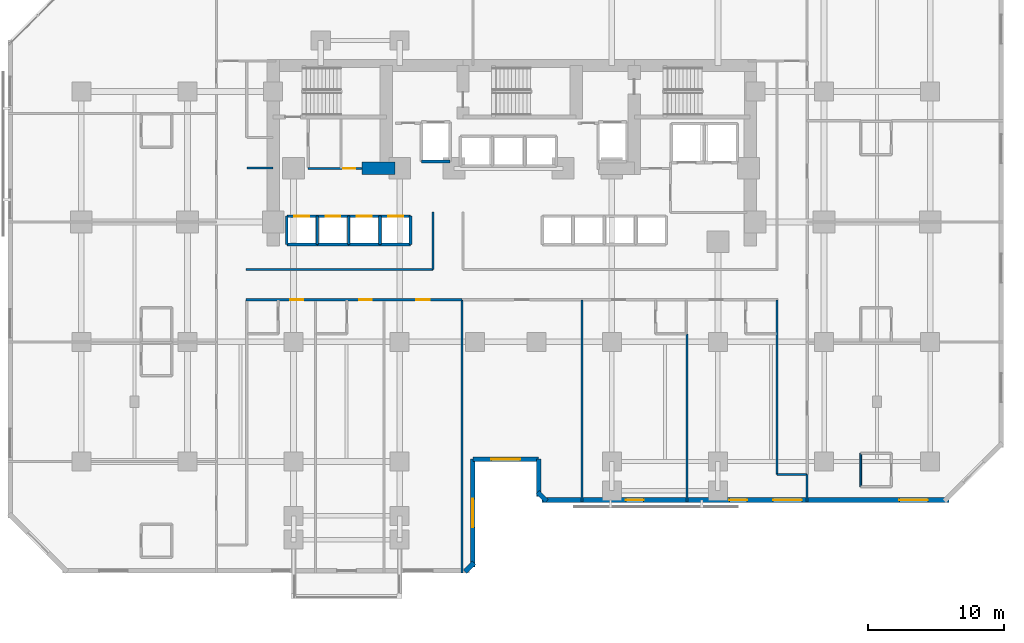
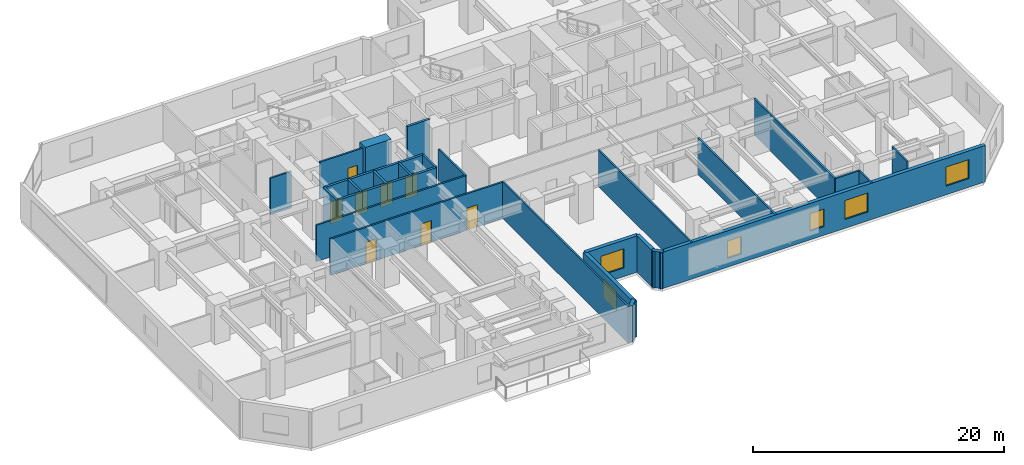
# One storey, part 6 of 12: 33 walls, 8 doors, 6 windows, 14 openings.
"""IFC4 building model written with IfcOpenShell, lengths in metres."""

import ifcopenshell
import ifcopenshell.guid

model = None  # the IFC model being written
_history = None  # IfcOwnerHistory: only IFC2X3 demands one
_inside = {}  # id of a spatial element -> (the spatial element, [elements in it])
_under = {}  # id of a project, library or spatial element -> (it, [spatial elements below it])
_declared = {}  # id of a project -> (the project, [libraries it declares])
_typed = {}  # id of a type object -> (the type object, [elements of that type])
_made_of = {}  # id of a material, layer set ... -> (it, [elements and type objects made of it])


def new_model(schema):
    """Start an empty IFC model of exactly this schema.

    Asked for "IFC4X3", IfcOpenShell would pick the latest addendum, in which some entities
    have other attributes; the version numbers below select the first issue.
    IFC2X3 requires an IfcOwnerHistory on every rooted entity: one is made here for all.
    """
    global model, _history
    if schema == "IFC4X3":
        model = ifcopenshell.file(schema_version=(4, 3, 0, 0))
    else:
        model = ifcopenshell.file(schema=schema)
    _inside.clear()
    _under.clear()
    _declared.clear()
    _typed.clear()
    _made_of.clear()
    _history = None
    if model.schema == "IFC2X3":
        org = make("IfcOrganization", Name="unknown")
        user = make(
            "IfcPersonAndOrganization",
            ThePerson=make("IfcPerson", FamilyName="unknown"),
            TheOrganization=org,
        )
        app = make(
            "IfcApplication",
            ApplicationDeveloper=org,
            Version="unknown",
            ApplicationFullName="unknown",
            ApplicationIdentifier="unknown",
        )
        _history = make(
            "IfcOwnerHistory",
            OwningUser=user,
            OwningApplication=app,
            ChangeAction="ADDED",
            CreationDate=0,
        )
    return model


def make(cls, **values):
    """One entity of the class cls with the attributes given. An attribute that is None is left unset."""
    return model.create_entity(
        cls, **{name: value for name, value in values.items() if value is not None}
    )


def rooted(cls, **values):
    """An entity with a GlobalId (a new one), such as an element, a storey or a relation."""
    return make(cls, GlobalId=ifcopenshell.guid.new(), OwnerHistory=_history, **values)


def si_unit(unit_type, name, prefix=None):
    """IfcSIUnit, for example si_unit("LENGTHUNIT", "METRE", prefix="MILLI")."""
    return make("IfcSIUnit", UnitType=unit_type, Prefix=prefix, Name=name)


def assignment(units):
    """IfcUnitAssignment: the units of a project."""
    return None if units is None else make("IfcUnitAssignment", Units=units)


def point(xyz):
    """IfcCartesianPoint."""
    return None if xyz is None else make("IfcCartesianPoint", Coordinates=xyz)


def direction(xyz):
    """IfcDirection."""
    return None if xyz is None else make("IfcDirection", DirectionRatios=xyz)


def frame(location, z_axis=None, x_axis=None):
    """IfcAxis2Placement3D, a coordinate frame: its origin and axes. An axis left out is left unset."""
    return make(
        "IfcAxis2Placement3D",
        Location=point(location),
        Axis=direction(z_axis),
        RefDirection=direction(x_axis),
    )


def frame_2d(location, x_axis=None):
    """IfcAxis2Placement2D, a coordinate frame in the plane: its origin and x axis."""
    return make(
        "IfcAxis2Placement2D", Location=point(location), RefDirection=direction(x_axis)
    )


def origin():
    """The frame at (0, 0, 0) with its axes left unset."""
    return frame((0.0, 0.0, 0.0))


def place(relative_to, where):
    """IfcLocalPlacement: puts the frame where relative to a parent placement (None: the world)."""
    return make(
        "IfcLocalPlacement", PlacementRelTo=relative_to, RelativePlacement=where
    )


def context(
    kind, dimensions, precision=None, world=None, true_north=None, identifier=None
):
    """IfcGeometricRepresentationContext, for example the 3D "Model" context."""
    return make(
        "IfcGeometricRepresentationContext",
        ContextIdentifier=identifier,
        ContextType=kind,
        CoordinateSpaceDimension=dimensions,
        Precision=precision,
        WorldCoordinateSystem=world,
        TrueNorth=true_north,
    )


def subcontext(parent, identifier, kind, view, scale=None):
    """IfcGeometricRepresentationSubContext, for example "Body" below "Model"."""
    return make(
        "IfcGeometricRepresentationSubContext",
        ContextIdentifier=identifier,
        ContextType=kind,
        ParentContext=parent,
        TargetScale=scale,
        TargetView=view,
    )


def project(units=None, contexts=None):
    """IfcProject with its units and contexts."""
    return rooted(
        "IfcProject",
        Name="project",
        RepresentationContexts=contexts,
        UnitsInContext=assignment(units),
    )


def spatial(cls, under=None, at=None, **own):
    """A site, building, storey or space (cls), placed at a placement, below another one or the project."""
    s = rooted(cls, ObjectPlacement=at, **own)
    if under is not None:
        _under.setdefault(under.id(), (under, []))[1].append(s)
    return s


def profile(cls, at=None, kind="AREA", **sizes):
    """A parametric profile (cls). Its sizes go by their IFC names, for example OverallWidth=200.0."""
    return make(cls, ProfileType=kind, Position=at, **sizes)


def rectangle(**sizes):
    """IfcRectangleProfileDef."""
    return profile("IfcRectangleProfileDef", **sizes)


def extrude(swept, where, along, depth):
    """IfcExtrudedAreaSolid: the profile swept, set in the frame where, extruded along a direction by depth."""
    return make(
        "IfcExtrudedAreaSolid",
        SweptArea=swept,
        Position=where,
        ExtrudedDirection=direction(along),
        Depth=depth,
    )


def shape(context_of_items, identifier, shape_type, items):
    """IfcShapeRepresentation: the items that make up one representation, for example the "Body"."""
    return make(
        "IfcShapeRepresentation",
        ContextOfItems=context_of_items,
        RepresentationIdentifier=identifier,
        RepresentationType=shape_type,
        Items=items,
    )


def material(Name=None, Category=None):
    """IfcMaterial."""
    return make("IfcMaterial", Name=Name, Category=Category)


def layer(
    of_material, thickness, ventilated=None, Name=None, Category=None, Priority=None
):
    """IfcMaterialLayer: one layer of a wall or slab, of a material (None: an air gap)."""
    return make(
        "IfcMaterialLayer",
        Material=of_material,
        LayerThickness=thickness,
        IsVentilated=ventilated,
        Name=Name,
        Category=Category,
        Priority=Priority,
    )


def layer_set(layers, Name=None):
    """IfcMaterialLayerSet."""
    return make("IfcMaterialLayerSet", MaterialLayers=layers, LayerSetName=Name)


def made_of(thing, what):
    """Note that an element or type object is made of a material, layer set ...; save() writes the relation."""
    if what is not None:
        _made_of.setdefault(what.id(), (what, []))[1].append(thing)
    return thing


def type_object(cls, material=None, **own):
    """A type object (cls), such as IfcWallType, which elements share."""
    return made_of(rooted(cls, **own), material)


def element(
    cls,
    number,
    at=None,
    inside=None,
    cuts=None,
    type_object=None,
    material=None,
    context=None,
    identifier="Body",
    shape_type=None,
    held_by="IfcProductDefinitionShape",
    body=None,
    shapes=None,
    **own,
):
    """One element of the class cls, such as IfcWall. Its Tag is "e" and its number.

    at: its placement. inside: the storey or other place that contains it. cuts: it is an
    opening in that element (IfcRelVoidsElement). A single representation is given by context,
    identifier, shape_type and body (its items); several are given by shapes. held_by: the class
    of the entity that holds the representations. save() writes the other relations.
    """
    e = rooted(cls, Tag="e%d" % number, ObjectPlacement=at, **own)
    if body is not None:
        shapes = [shape(context, identifier, shape_type, body)]
    if shapes is not None:
        e.Representation = make(held_by, Representations=shapes)
    if inside is not None:
        _inside.setdefault(inside.id(), (inside, []))[1].append(e)
    if cuts is not None:
        rooted(
            "IfcRelVoidsElement", RelatingBuildingElement=cuts, RelatedOpeningElement=e
        )
    if type_object is not None:
        _typed.setdefault(type_object.id(), (type_object, []))[1].append(e)
    return made_of(e, material)


def fill(opening, filler):
    """IfcRelFillsElement: the door or window that sits in an opening."""
    return rooted(
        "IfcRelFillsElement",
        RelatingOpeningElement=opening,
        RelatedBuildingElement=filler,
    )


def aggregate(whole, parts):
    """IfcRelAggregates: a whole, such as a stair, and the parts it consists of."""
    return rooted("IfcRelAggregates", RelatingObject=whole, RelatedObjects=parts)


def save(model, path):
    """Write the relations noted so far, then the file.

    IfcRelAggregates (storeys below a building ...), IfcRelContainedInSpatialStructure (elements
    in a storey), IfcRelDefinesByType, IfcRelAssociatesMaterial and IfcRelDeclares: one each for
    every whole, place, type object, material and project.
    """
    for whole, parts in _under.values():
        aggregate(whole, parts)
    for where, things in _inside.values():
        rooted(
            "IfcRelContainedInSpatialStructure",
            RelatedElements=things,
            RelatingStructure=where,
        )
    for kind, things in _typed.values():
        rooted("IfcRelDefinesByType", RelatedObjects=things, RelatingType=kind)
    for what, things in _made_of.values():
        rooted("IfcRelAssociatesMaterial", RelatedObjects=things, RelatingMaterial=what)
    for by, libraries in _declared.values():
        rooted("IfcRelDeclares", RelatingContext=by, RelatedDefinitions=libraries)
    model.write(path)


model = new_model("IFC4")

# Units and contexts
model_context = context("Model", 3, precision=1e-05, world=origin(), true_north=direction((0.0, 1.0)))
body_context = subcontext(model_context, "Body", "Model", "MODEL_VIEW")
ifc_project = project(units=[si_unit("LENGTHUNIT", "METRE"), si_unit("AREAUNIT", "SQUARE_METRE"), si_unit("VOLUMEUNIT", "CUBIC_METRE"), si_unit("PLANEANGLEUNIT", "RADIAN"), si_unit("MASSUNIT", "GRAM", prefix="KILO")], contexts=[model_context])

# Site, building, storey
site_placement = place(None, origin())
site = spatial("IfcSite", under=ifc_project, at=site_placement, CompositionType="ELEMENT")
building_placement = place(site_placement, origin())
building = spatial("IfcBuilding", under=site, at=building_placement, Name="Kestravale Grand Hotel", CompositionType="ELEMENT")
storey_placement = place(building_placement, frame((0.0, 0.0, 48.800048828125)))
storey = spatial("IfcBuildingStorey", under=building, at=storey_placement, Name="L11", CompositionType="ELEMENT", Elevation=48.800048828125)

# Walls
ifc_material_1 = material(Name="Concrete f'c 70 MPa", Category="concrete")
ifc_layer_1 = layer(ifc_material_1, 0.89990234375)
ifc_layer_set_1 = layer_set([ifc_layer_1], Name="EW-CORE-900")
wall_type_1 = type_object("IfcWallType", Name="EW-CORE-900", PredefinedType="SHEAR", material=ifc_layer_set_1)
wall_1_placement = place(storey_placement, frame((28.449951171875, 32.75, 0.0), z_axis=(0.0, 0.0, 1.0), x_axis=(1.0, 0.0, 0.0)))
element("IfcWall", 1, at=wall_1_placement, inside=storey, type_object=wall_type_1, Name="L11 core shear wall S1", PredefinedType="SHEAR", context=body_context, shape_type="SweptSolid", body=[
    extrude(rectangle(XDim=2.400146484375, YDim=0.89990234375, at=frame_2d((1.2001953125, 0.0))), origin(), (0.0, 0.0, 1.0), 3.800048828125),
])
ifc_material_2 = material(Name="Precast concrete f'c 45 MPa", Category="concrete")
ifc_layer_2 = layer(ifc_material_2, 0.340087890625)
ifc_layer_set_2 = layer_set([ifc_layer_2], Name="EW-PREC-340")
wall_type_2 = type_object("IfcWallType", Name="EW-PREC-340", PredefinedType="SOLIDWALL", material=ifc_layer_set_2)
wall_2_placement = place(storey_placement, frame((36.00146484375, 3.091796875, 0.0), z_axis=(0.0, 0.0, 1.0), x_axis=(0.707106781187, 0.707106781187, 0.0)))
element("IfcWall", 2, at=wall_2_placement, inside=storey, type_object=wall_type_2, Name="L11 fluted precast facade wall 2", PredefinedType="SOLIDWALL", context=body_context, shape_type="SweptSolid", body=[
    extrude(rectangle(XDim=0.9287109375, YDim=0.340087890625, at=frame_2d((0.46435546875, 0.0))), origin(), (0.0, 0.0, 1.0), 3.5400390625),
])

# Wall, opening, window
wall_3_placement = place(storey_placement, frame((36.580078125, 3.429931640625, 0.0), z_axis=(0.0, 0.0, 1.0), x_axis=(0.0, 1.0, 0.0)))
wall_3 = element("IfcWall", 3, at=wall_3_placement, inside=storey, type_object=wall_type_2, Name="L11 fluted precast facade wall 3", PredefinedType="SOLIDWALL", context=body_context, shape_type="SweptSolid", body=[
    extrude(rectangle(XDim=7.940185546875, YDim=0.340087890625, at=frame_2d((3.97021484375, 0.0))), origin(), (0.0, 0.0, 1.0), 3.5400390625),
])
opening_1_placement = place(wall_3_placement, frame((2.919921875, 0.0, 0.85009765625)))
opening_1 = element("IfcOpeningElement", 4, at=opening_1_placement, cuts=wall_3, Name="Opening W-GUEST-2100", PredefinedType="OPENING", context=body_context, shape_type="SweptSolid", body=[
    extrude(rectangle(XDim=2.10009765625, YDim=1.85009765625, at=frame_2d((1.050048828125, 0.925048828125))), frame((0.0, 0.179931640625, 0.0), z_axis=(0.0, -1.0, 0.0), x_axis=(1.0, 0.0, 0.0)), (0.0, 0.0, 1.0), 0.360107421875),
])
ifc_material_3 = material(Name="Insulated low-E double glazing in aluminium frame", Category="aluminium")
window_type_1 = type_object("IfcWindowType", Name="W-GUEST-2100", PartitioningType="DOUBLE_PANEL_VERTICAL", PredefinedType="WINDOW", material=ifc_material_3)
window_1_placement = place(opening_1_placement, origin())
window_1 = element("IfcWindow", 5, at=window_1_placement, inside=storey, type_object=window_type_1, Name="L11 exterior window 3.1", OverallHeight=1.85009765625, OverallWidth=2.10009765625, PartitioningType="SINGLE_PANEL", PredefinedType="WINDOW", context=body_context, shape_type="SweptSolid", body=[
    extrude(rectangle(XDim=2.10009765625, YDim=1.85009765625, at=frame_2d((1.050048828125, 0.925048828125))), frame((0.0, 0.030029296875, 0.0), z_axis=(0.0, -1.0, 0.0), x_axis=(1.0, 0.0, 0.0)), (0.0, 0.0, 1.0), 0.06005859375),
])
fill(opening_1, window_1)

wall_4_placement = place(storey_placement, frame((36.580078125, 11.3701171875, 0.0), z_axis=(0.0, 0.0, 1.0), x_axis=(1.0, 0.0, 0.0)))
wall_4 = element("IfcWall", 6, at=wall_4_placement, inside=storey, type_object=wall_type_2, Name="L11 fluted precast facade wall 4", PredefinedType="SOLIDWALL", context=body_context, shape_type="SweptSolid", body=[
    extrude(rectangle(XDim=4.83984375, YDim=0.340087890625, at=frame_2d((2.419921875, 0.0))), origin(), (0.0, 0.0, 1.0), 3.5400390625),
])
opening_2_placement = place(wall_4_placement, frame((1.3701171875, 0.0, 0.85009765625)))
opening_2 = element("IfcOpeningElement", 7, at=opening_2_placement, cuts=wall_4, Name="Opening W-GUEST-2100", PredefinedType="OPENING", context=body_context, shape_type="SweptSolid", body=[
    extrude(rectangle(XDim=2.10009765625, YDim=1.85009765625, at=frame_2d((1.050048828125, 0.925048828125))), frame((0.0, 0.179931640625, 0.0), z_axis=(0.0, -1.0, 0.0), x_axis=(1.0, 0.0, 0.0)), (0.0, 0.0, 1.0), 0.360107421875),
])
window_2_placement = place(opening_2_placement, origin())
window_2 = element("IfcWindow", 8, at=window_2_placement, inside=storey, type_object=window_type_1, Name="L11 exterior window 4.1", OverallHeight=1.85009765625, OverallWidth=2.10009765625, PartitioningType="SINGLE_PANEL", PredefinedType="WINDOW", context=body_context, shape_type="SweptSolid", body=[
    extrude(rectangle(XDim=2.10009765625, YDim=1.85009765625, at=frame_2d((1.050048828125, 0.925048828125))), frame((0.0, 0.030029296875, 0.0), z_axis=(0.0, -1.0, 0.0), x_axis=(1.0, 0.0, 0.0)), (0.0, 0.0, 1.0), 0.06005859375),
])
fill(opening_2, window_2)

# Walls
wall_5_placement = place(storey_placement, frame((41.419921875, 11.3701171875, 0.0), z_axis=(0.0, 0.0, 1.0), x_axis=(0.0, -1.0, 0.0)))
element("IfcWall", 9, at=wall_5_placement, inside=storey, type_object=wall_type_2, Name="L11 fluted precast facade wall 5", PredefinedType="SOLIDWALL", context=body_context, shape_type="SweptSolid", body=[
    extrude(rectangle(XDim=2.740234375, YDim=0.340087890625, at=frame_2d((1.3701171875, 0.0))), origin(), (0.0, 0.0, 1.0), 3.5400390625),
])
wall_6_placement = place(storey_placement, frame((41.341796875, 8.948486328125, 0.0), z_axis=(0.0, 0.0, 1.0), x_axis=(0.707238225886, -0.706975312048, 0.0)))
element("IfcWall", 10, at=wall_6_placement, inside=storey, type_object=wall_type_2, Name="L11 fluted precast facade wall 6", PredefinedType="SOLIDWALL", context=body_context, shape_type="SweptSolid", body=[
    extrude(rectangle(XDim=0.9287109375, YDim=0.340087890625, at=frame_2d((0.46435546875, 0.0))), origin(), (0.0, 0.0, 1.0), 3.5400390625),
])

# Wall, openings, windows
wall_7_placement = place(storey_placement, frame((41.679931640625, 8.3701171875, 0.0), z_axis=(0.0, 0.0, 1.0), x_axis=(1.0, 0.0, 0.0)))
wall_7 = element("IfcWall", 11, at=wall_7_placement, inside=storey, type_object=wall_type_2, Name="L11 fluted precast facade wall 7", PredefinedType="SOLIDWALL", context=body_context, shape_type="SweptSolid", body=[
    extrude(rectangle(XDim=29.89013671875, YDim=0.340087890625, at=frame_2d((14.945068359375, 0.0))), origin(), (0.0, 0.0, 1.0), 3.5400390625),
])
opening_3_placement = place(wall_7_placement, frame((16.981201171875, 0.0, 0.85009765625)))
opening_3 = element("IfcOpeningElement", 12, at=opening_3_placement, cuts=wall_7, Name="Opening W-GUEST-2100", PredefinedType="OPENING", context=body_context, shape_type="SweptSolid", body=[
    extrude(rectangle(XDim=2.10009765625, YDim=1.85009765625, at=frame_2d((1.050048828125, 0.925048828125))), frame((0.0, 0.179931640625, 0.0), z_axis=(0.0, -1.0, 0.0), x_axis=(1.0, 0.0, 0.0)), (0.0, 0.0, 1.0), 0.360107421875),
])
opening_4_placement = place(wall_7_placement, frame((26.253662109375, 0.0, 0.85009765625)))
opening_4 = element("IfcOpeningElement", 13, at=opening_4_placement, cuts=wall_7, Name="Opening W-GUEST-2100", PredefinedType="OPENING", context=body_context, shape_type="SweptSolid", body=[
    extrude(rectangle(XDim=2.10009765625, YDim=1.85009765625, at=frame_2d((1.050048828125, 0.925048828125))), frame((0.0, 0.179931640625, 0.0), z_axis=(0.0, -1.0, 0.0), x_axis=(1.0, 0.0, 0.0)), (0.0, 0.0, 1.0), 0.360107421875),
])
opening_5_placement = place(wall_7_placement, frame((6.14990234375, 0.0, 0.85009765625)))
opening_5 = element("IfcOpeningElement", 14, at=opening_5_placement, cuts=wall_7, Name="Opening W-GUEST-1300", PredefinedType="OPENING", context=body_context, shape_type="SweptSolid", body=[
    extrude(rectangle(XDim=1.300048828125, YDim=1.699951171875, at=frame_2d((0.64990234375, 0.85009765625))), frame((0.0, 0.179931640625, 0.0), z_axis=(0.0, -1.0, 0.0), x_axis=(1.0, 0.0, 0.0)), (0.0, 0.0, 1.0), 0.360107421875),
])
opening_6_placement = place(wall_7_placement, frame((13.76318359375, 0.0, 0.85009765625)))
opening_6 = element("IfcOpeningElement", 15, at=opening_6_placement, cuts=wall_7, Name="Opening W-GUEST-1300", PredefinedType="OPENING", context=body_context, shape_type="SweptSolid", body=[
    extrude(rectangle(XDim=1.300048828125, YDim=1.699951171875, at=frame_2d((0.64990234375, 0.85009765625))), frame((0.0, 0.179931640625, 0.0), z_axis=(0.0, -1.0, 0.0), x_axis=(1.0, 0.0, 0.0)), (0.0, 0.0, 1.0), 0.360107421875),
])
ifc_material_4 = material(Name="Insulated low-E double glazing in aluminium frame", Category="aluminium")
window_type_2 = type_object("IfcWindowType", Name="W-GUEST-1300", PartitioningType="SINGLE_PANEL", PredefinedType="WINDOW", material=ifc_material_4)
window_3_placement = place(opening_5_placement, origin())
window_3 = element("IfcWindow", 16, at=window_3_placement, inside=storey, type_object=window_type_2, Name="L11 guestroom envelope window 2", OverallHeight=1.699951171875, OverallWidth=1.300048828125, PartitioningType="SINGLE_PANEL", PredefinedType="WINDOW", context=body_context, shape_type="SweptSolid", body=[
    extrude(rectangle(XDim=1.300048828125, YDim=1.699951171875, at=frame_2d((0.64990234375, 0.85009765625))), frame((0.0, 0.030029296875, 0.0), z_axis=(0.0, -1.0, 0.0), x_axis=(1.0, 0.0, 0.0)), (0.0, 0.0, 1.0), 0.06005859375),
])
fill(opening_5, window_3)
window_4_placement = place(opening_6_placement, origin())
window_4 = element("IfcWindow", 17, at=window_4_placement, inside=storey, type_object=window_type_2, Name="L11 guestroom envelope window 3", OverallHeight=1.699951171875, OverallWidth=1.300048828125, PartitioningType="SINGLE_PANEL", PredefinedType="WINDOW", context=body_context, shape_type="SweptSolid", body=[
    extrude(rectangle(XDim=1.300048828125, YDim=1.699951171875, at=frame_2d((0.64990234375, 0.85009765625))), frame((0.0, 0.030029296875, 0.0), z_axis=(0.0, -1.0, 0.0), x_axis=(1.0, 0.0, 0.0)), (0.0, 0.0, 1.0), 0.06005859375),
])
fill(opening_6, window_4)
window_5_placement = place(opening_3_placement, origin())
window_5 = element("IfcWindow", 18, at=window_5_placement, inside=storey, type_object=window_type_1, Name="L11 exterior window 7.1", OverallHeight=1.85009765625, OverallWidth=2.10009765625, PartitioningType="SINGLE_PANEL", PredefinedType="WINDOW", context=body_context, shape_type="SweptSolid", body=[
    extrude(rectangle(XDim=2.10009765625, YDim=1.85009765625, at=frame_2d((1.050048828125, 0.925048828125))), frame((0.0, 0.030029296875, 0.0), z_axis=(0.0, -1.0, 0.0), x_axis=(1.0, 0.0, 0.0)), (0.0, 0.0, 1.0), 0.06005859375),
])
fill(opening_3, window_5)
window_6_placement = place(opening_4_placement, origin())
window_6 = element("IfcWindow", 19, at=window_6_placement, inside=storey, type_object=window_type_1, Name="L11 exterior window 7.2", OverallHeight=1.85009765625, OverallWidth=2.10009765625, PartitioningType="SINGLE_PANEL", PredefinedType="WINDOW", context=body_context, shape_type="SweptSolid", body=[
    extrude(rectangle(XDim=2.10009765625, YDim=1.85009765625, at=frame_2d((1.050048828125, 0.925048828125))), frame((0.0, 0.030029296875, 0.0), z_axis=(0.0, -1.0, 0.0), x_axis=(1.0, 0.0, 0.0)), (0.0, 0.0, 1.0), 0.06005859375),
])
fill(opening_4, window_6)

# Wall, opening, door
ifc_material_5 = material(Name="Acoustic fire-rated gypsum board partition", Category="other")
ifc_layer_3 = layer(ifc_material_5, 0.159912109375)
ifc_layer_set_3 = layer_set([ifc_layer_3], Name="IW-CORR-160")
wall_type_3 = type_object("IfcWallType", Name="IW-CORR-160", PredefinedType="PARTITIONING", material=ifc_layer_set_3)
wall_8_placement = place(storey_placement, frame((24.47998046875, 32.75, 0.0), z_axis=(0.0, 0.0, 1.0), x_axis=(1.0, 0.0, 0.0)))
wall_8 = element("IfcWall", 20, at=wall_8_placement, inside=storey, type_object=wall_type_3, Name="W-L11-CWS", PredefinedType="PARTITIONING", context=body_context, shape_type="SweptSolid", body=[
    extrude(rectangle(XDim=3.969970703125, YDim=0.159912109375, at=frame_2d((1.98486328125, 0.0))), origin(), (0.0, 0.0, 1.0), 3.5400390625),
])
opening_7_placement = place(wall_8_placement, frame((2.574951171875, 0.0, 0.0)))
opening_7 = element("IfcOpeningElement", 21, at=opening_7_placement, cuts=wall_8, Name="Opening D-BATH-880", PredefinedType="OPENING", context=body_context, shape_type="SweptSolid", body=[
    extrude(rectangle(XDim=0.8798828125, YDim=2.050048828125, at=frame_2d((0.43994140625, 1.02490234375))), frame((0.0, 0.08984375, 0.0), z_axis=(0.0, -1.0, 0.0), x_axis=(1.0, 0.0, 0.0)), (0.0, 0.0, 1.0), 0.179931640625),
])
ifc_material_6 = material(Name="Moisture-sealed walnut en-suite bathroom door", Category="wood")
door_type_1 = type_object("IfcDoorType", Name="D-BATH-880", OperationType="NOTDEFINED", PredefinedType="DOOR", material=ifc_material_6)
door_1_placement = place(opening_7_placement, origin())
door_1 = element("IfcDoor", 22, at=door_1_placement, inside=storey, type_object=door_type_1, Name="D-L11-SWC", OperationType="SINGLE_SWING_RIGHT", OverallHeight=2.050048828125, OverallWidth=0.8798828125, PredefinedType="DOOR", context=body_context, shape_type="SweptSolid", body=[
    extrude(rectangle(XDim=0.8798828125, YDim=2.050048828125, at=frame_2d((0.43994140625, 1.02490234375))), frame((0.0, 0.02490234375, 0.0), z_axis=(0.0, -1.0, 0.0), x_axis=(1.0, 0.0, 0.0)), (0.0, 0.0, 1.0), 0.050048828125),
])
fill(opening_7, door_1)

# Walls
wall_9_placement = place(storey_placement, frame((19.89990234375, 25.31005859375, 0.0), z_axis=(0.0, 0.0, 1.0), x_axis=(1.0, 0.0, 0.0)))
element("IfcWall", 23, at=wall_9_placement, inside=storey, type_object=wall_type_3, Name="W-L11-CW-N", PredefinedType="PARTITIONING", context=body_context, shape_type="SweptSolid", body=[
    extrude(rectangle(XDim=13.75, YDim=0.159912109375, at=frame_2d((6.875, 0.0))), origin(), (0.0, 0.0, 1.0), 3.5400390625),
])
wall_10_placement = place(storey_placement, frame((33.64990234375, 25.31005859375, 0.0), z_axis=(0.0, 0.0, 1.0), x_axis=(0.0, 1.0, 0.0)))
element("IfcWall", 24, at=wall_10_placement, inside=storey, type_object=wall_type_3, Name="W-L11-TRUNK-W", PredefinedType="PARTITIONING", context=body_context, shape_type="SweptSolid", body=[
    extrude(rectangle(XDim=4.239990234375, YDim=0.159912109375, at=frame_2d((2.1201171875, 0.0))), origin(), (0.0, 0.0, 1.0), 3.5400390625),
])

# Wall, openings, doors
wall_11_placement = place(storey_placement, frame((19.89990234375, 23.090087890625, 0.0), z_axis=(0.0, 0.0, 1.0), x_axis=(1.0, 0.0, 0.0)))
wall_11 = element("IfcWall", 25, at=wall_11_placement, inside=storey, type_object=wall_type_3, Name="W-L11-CW-S", PredefinedType="PARTITIONING", context=body_context, shape_type="SweptSolid", body=[
    extrude(rectangle(XDim=15.900146484375, YDim=0.159912109375, at=frame_2d((7.9501953125, 0.0))), origin(), (0.0, 0.0, 1.0), 3.5400390625),
])
opening_8_placement = place(wall_11_placement, frame((3.264892578125, 0.0, 0.0)))
opening_8 = element("IfcOpeningElement", 26, at=opening_8_placement, cuts=wall_11, Name="Opening D-GUEST-950", PredefinedType="OPENING", context=body_context, shape_type="SweptSolid", body=[
    extrude(rectangle(XDim=0.949951171875, YDim=2.10009765625, at=frame_2d((0.47509765625, 1.050048828125))), frame((0.0, 0.08984375, 0.0), z_axis=(0.0, -1.0, 0.0), x_axis=(1.0, 0.0, 0.0)), (0.0, 0.0, 1.0), 0.179931640625),
])
opening_9_placement = place(wall_11_placement, frame((8.31494140625, 0.0, 0.0)))
opening_9 = element("IfcOpeningElement", 27, at=opening_9_placement, cuts=wall_11, Name="Opening D-GUEST-950", PredefinedType="OPENING", context=body_context, shape_type="SweptSolid", body=[
    extrude(rectangle(XDim=0.949951171875, YDim=2.10009765625, at=frame_2d((0.47509765625, 1.050048828125))), frame((0.0, 0.08984375, 0.0), z_axis=(0.0, -1.0, 0.0), x_axis=(1.0, 0.0, 0.0)), (0.0, 0.0, 1.0), 0.179931640625),
])
opening_10_placement = place(wall_11_placement, frame((12.530029296875, 0.0, 0.0)))
opening_10 = element("IfcOpeningElement", 28, at=opening_10_placement, cuts=wall_11, Name="Opening D-GUEST-1000", PredefinedType="OPENING", context=body_context, shape_type="SweptSolid", body=[
    extrude(rectangle(XDim=1.0, YDim=2.14990234375, at=frame_2d((0.5, 1.074951171875))), frame((0.0, 0.08984375, 0.0), z_axis=(0.0, -1.0, 0.0), x_axis=(1.0, 0.0, 0.0)), (0.0, 0.0, 1.0), 0.179931640625),
])
ifc_material_7 = material(Name="Accessible walnut veneer hotel entrance fire door", Category="wood")
door_type_2 = type_object("IfcDoorType", Name="D-GUEST-1000", OperationType="NOTDEFINED", PredefinedType="DOOR", material=ifc_material_7)
door_2_placement = place(opening_10_placement, origin())
door_2 = element("IfcDoor", 29, at=door_2_placement, inside=storey, type_object=door_type_2, Name="D-L11-AMW", OperationType="SINGLE_SWING_LEFT", OverallHeight=2.14990234375, OverallWidth=1.0, PredefinedType="DOOR", context=body_context, shape_type="SweptSolid", body=[
    extrude(rectangle(XDim=1.0, YDim=2.14990234375, at=frame_2d((0.5, 1.074951171875))), frame((0.0, 0.02490234375, 0.0), z_axis=(0.0, -1.0, 0.0), x_axis=(1.0, 0.0, 0.0)), (0.0, 0.0, 1.0), 0.050048828125),
])
fill(opening_10, door_2)
ifc_material_8 = material(Name="Walnut veneer hotel guestroom entrance fire door", Category="wood")
door_type_3 = type_object("IfcDoorType", Name="D-GUEST-950", OperationType="NOTDEFINED", PredefinedType="DOOR", material=ifc_material_8)
door_3_placement = place(opening_8_placement, origin())
door_3 = element("IfcDoor", 30, at=door_3_placement, inside=storey, type_object=door_type_3, Name="D-L11-U01-ENT", OperationType="SINGLE_SWING_RIGHT", OverallHeight=2.10009765625, OverallWidth=0.949951171875, PredefinedType="DOOR", context=body_context, shape_type="SweptSolid", body=[
    extrude(rectangle(XDim=0.949951171875, YDim=2.10009765625, at=frame_2d((0.47509765625, 1.050048828125))), frame((0.0, 0.02490234375, 0.0), z_axis=(0.0, -1.0, 0.0), x_axis=(1.0, 0.0, 0.0)), (0.0, 0.0, 1.0), 0.050048828125),
])
fill(opening_8, door_3)
door_4_placement = place(opening_9_placement, origin())
door_4 = element("IfcDoor", 31, at=door_4_placement, inside=storey, type_object=door_type_3, Name="D-L11-U02-ENT", OperationType="SINGLE_SWING_RIGHT", OverallHeight=2.10009765625, OverallWidth=0.949951171875, PredefinedType="DOOR", context=body_context, shape_type="SweptSolid", body=[
    extrude(rectangle(XDim=0.949951171875, YDim=2.10009765625, at=frame_2d((0.47509765625, 1.050048828125))), frame((0.0, 0.02490234375, 0.0), z_axis=(0.0, -1.0, 0.0), x_axis=(1.0, 0.0, 0.0)), (0.0, 0.0, 1.0), 0.050048828125),
])
fill(opening_9, door_4)

# Walls
wall_12_placement = place(storey_placement, frame((19.9599609375, 32.780029296875, 0.0), z_axis=(0.0, 0.0, 1.0), x_axis=(1.0, 0.0, 0.0)))
element("IfcWall", 32, at=wall_12_placement, inside=storey, type_object=wall_type_3, Name="W-L11-SW-CS", PredefinedType="PARTITIONING", context=body_context, shape_type="SweptSolid", body=[
    extrude(rectangle(XDim=1.93994140625, YDim=0.159912109375, at=frame_2d((0.969970703125, 0.0))), origin(), (0.0, 0.0, 1.0), 3.5400390625),
])
wall_13_placement = place(storey_placement, frame((58.93994140625, 10.25, 0.0), z_axis=(0.0, 0.0, 1.0), x_axis=(0.0, 1.0, 0.0)))
element("IfcWall", 33, at=wall_13_placement, inside=storey, type_object=wall_type_3, Name="W-L11-SE-W", PredefinedType="PARTITIONING", context=body_context, shape_type="SweptSolid", body=[
    extrude(rectangle(XDim=12.840087890625, YDim=0.159912109375, at=frame_2d((6.419921875, 0.0))), origin(), (0.0, 0.0, 1.0), 3.5400390625),
])
ifc_material_9 = material(Name="Moisture-resistant tile-backer plumbing chase wall", Category="other")
ifc_layer_4 = layer(ifc_material_9, 0.139892578125)
ifc_layer_set_4 = layer_set([ifc_layer_4], Name="IW-PLB-140")
wall_type_4 = type_object("IfcWallType", Name="IW-PLB-140", PredefinedType="PLUMBINGWALL", material=ifc_layer_set_4)
wall_14_placement = place(storey_placement, frame((65.10009765625, 9.35009765625, 0.0), z_axis=(0.0, 0.0, 1.0), x_axis=(0.0, 1.0, 0.0)))
element("IfcWall", 34, at=wall_14_placement, inside=storey, type_object=wall_type_4, Name="W-L11-U09-BW", PredefinedType="PLUMBINGWALL", context=body_context, shape_type="SweptSolid", body=[
    extrude(rectangle(XDim=2.449951171875, YDim=0.139892578125, at=frame_2d((1.22509765625, 0.0))), origin(), (0.0, 0.0, 1.0), 3.5400390625),
])
ifc_material_10 = material(Name="Concrete f'c 45 MPa", Category="concrete")
ifc_layer_5 = layer(ifc_material_10, 0.199951171875)
ifc_layer_set_5 = layer_set([ifc_layer_5], Name="IW-SHAFT-200")
wall_type_5 = type_object("IfcWallType", Name="IW-SHAFT-200", PredefinedType="SHEAR", material=ifc_layer_set_5)
for number, where, z_axis, x_axis, name in (
    (35, (22.905029296875, 27.169921875, 0.0), (0.0, 0.0, 1.0), (0.0, 1.0, 0.0), "L11 PL-L1 west shaft wall"),
    (36, (25.14990234375, 27.169921875, 0.0), (0.0, 0.0, 1.0), (0.0, 1.0, 0.0), "L11 PL-L2 west shaft wall"),
    (37, (27.449951171875, 27.169921875, 0.0), (0.0, 0.0, 1.0), (0.0, 1.0, 0.0), "L11 PL-L3 west shaft wall"),
    (38, (29.75, 27.169921875, 0.0), (0.0, 0.0, 1.0), (0.0, 1.0, 0.0), "L11 PL-L4 west shaft wall"),
    (39, (31.9951171875, 27.169921875, 0.0), (0.0, 0.0, 1.0), (0.0, 1.0, 0.0), "L11 PL-L4 east shaft wall"),
):
    element("IfcWall", number, at=place(storey_placement, frame(where, z_axis=z_axis, x_axis=x_axis)), inside=storey, type_object=wall_type_5, Name=name, PredefinedType="SHEAR", context=body_context, shape_type="SweptSolid", body=[
        extrude(rectangle(XDim=2.06005859375, YDim=0.199951171875, at=frame_2d((1.030029296875, 0.0))), origin(), (0.0, 0.0, 1.0), 3.800048828125),
    ])

# Wall, opening, door
ifc_material_11 = material(Name="Concrete f'c 45 MPa", Category="concrete")
ifc_layer_6 = layer(ifc_material_11, 0.219970703125)
ifc_layer_set_6 = layer_set([ifc_layer_6], Name="IW-SHAFT-220")
wall_type_6 = type_object("IfcWallType", Name="IW-SHAFT-220", PredefinedType="SHEAR", material=ifc_layer_set_6)
wall_15_placement = place(storey_placement, frame((22.905029296875, 29.22998046875, 0.0), z_axis=(0.0, 0.0, 1.0), x_axis=(1.0, 0.0, 0.0)))
wall_15 = element("IfcWall", 40, at=wall_15_placement, inside=storey, type_object=wall_type_6, Name="L11 PL-L1 north shaft wall", PredefinedType="SHEAR", context=body_context, shape_type="SweptSolid", body=[
    extrude(rectangle(XDim=2.244873046875, YDim=0.219970703125, at=frame_2d((1.12255859375, 0.0))), origin(), (0.0, 0.0, 1.0), 3.800048828125),
])
opening_11_placement = place(wall_15_placement, frame((0.544921875, 0.0, 0.0)))
opening_11 = element("IfcOpeningElement", 41, at=opening_11_placement, cuts=wall_15, Name="Opening LD-PAX-1100", PredefinedType="OPENING", context=body_context, shape_type="SweptSolid", body=[
    extrude(rectangle(XDim=1.10009765625, YDim=2.14990234375, at=frame_2d((0.550048828125, 1.074951171875))), frame((0.0, 0.119873046875, 0.0), z_axis=(0.0, -1.0, 0.0), x_axis=(1.0, 0.0, 0.0)), (0.0, 0.0, 1.0), 0.239990234375),
])
ifc_material_12 = material(Name="Champagne-bronze center-opening sliding elevator landing door", Category="steel")
door_type_4 = type_object("IfcDoorType", Name="LD-PAX-1100", OperationType="NOTDEFINED", PredefinedType="DOOR", material=ifc_material_12)
door_5_placement = place(opening_11_placement, origin())
door_5 = element("IfcDoor", 42, at=door_5_placement, inside=storey, type_object=door_type_4, Name="L11 PL-L1 elevator landing sliding door", OperationType="DOUBLE_DOOR_SLIDING", OverallHeight=2.14990234375, OverallWidth=1.10009765625, PredefinedType="DOOR", context=body_context, shape_type="SweptSolid", body=[
    extrude(rectangle(XDim=1.10009765625, YDim=2.14990234375, at=frame_2d((0.550048828125, 1.074951171875))), frame((0.0, 0.02490234375, 0.0), z_axis=(0.0, -1.0, 0.0), x_axis=(1.0, 0.0, 0.0)), (0.0, 0.0, 1.0), 0.050048828125),
])
fill(opening_11, door_5)

# Wall
wall_16_placement = place(storey_placement, frame((22.905029296875, 27.169921875, 0.0), z_axis=(0.0, 0.0, 1.0), x_axis=(1.0, 0.0, 0.0)))
element("IfcWall", 43, at=wall_16_placement, inside=storey, type_object=wall_type_6, Name="L11 PL-L1 south shaft wall", PredefinedType="SHEAR", context=body_context, shape_type="SweptSolid", body=[
    extrude(rectangle(XDim=2.244873046875, YDim=0.219970703125, at=frame_2d((1.12255859375, 0.0))), origin(), (0.0, 0.0, 1.0), 3.800048828125),
])

# Wall, opening, door
wall_17_placement = place(storey_placement, frame((25.14990234375, 29.22998046875, 0.0), z_axis=(0.0, 0.0, 1.0), x_axis=(1.0, 0.0, 0.0)))
wall_17 = element("IfcWall", 44, at=wall_17_placement, inside=storey, type_object=wall_type_6, Name="L11 PL-L2 north shaft wall", PredefinedType="SHEAR", context=body_context, shape_type="SweptSolid", body=[
    extrude(rectangle(XDim=2.300048828125, YDim=0.219970703125, at=frame_2d((1.14990234375, 0.0))), origin(), (0.0, 0.0, 1.0), 3.800048828125),
])
opening_12_placement = place(wall_17_placement, frame((0.60009765625, 0.0, 0.0)))
opening_12 = element("IfcOpeningElement", 45, at=opening_12_placement, cuts=wall_17, Name="Opening LD-PAX-1100", PredefinedType="OPENING", context=body_context, shape_type="SweptSolid", body=[
    extrude(rectangle(XDim=1.10009765625, YDim=2.14990234375, at=frame_2d((0.550048828125, 1.074951171875))), frame((0.0, 0.119873046875, 0.0), z_axis=(0.0, -1.0, 0.0), x_axis=(1.0, 0.0, 0.0)), (0.0, 0.0, 1.0), 0.239990234375),
])
door_6_placement = place(opening_12_placement, origin())
door_6 = element("IfcDoor", 46, at=door_6_placement, inside=storey, type_object=door_type_4, Name="L11 PL-L2 elevator landing sliding door", OperationType="DOUBLE_DOOR_SLIDING", OverallHeight=2.14990234375, OverallWidth=1.10009765625, PredefinedType="DOOR", context=body_context, shape_type="SweptSolid", body=[
    extrude(rectangle(XDim=1.10009765625, YDim=2.14990234375, at=frame_2d((0.550048828125, 1.074951171875))), frame((0.0, 0.02490234375, 0.0), z_axis=(0.0, -1.0, 0.0), x_axis=(1.0, 0.0, 0.0)), (0.0, 0.0, 1.0), 0.050048828125),
])
fill(opening_12, door_6)

# Wall
wall_18_placement = place(storey_placement, frame((25.14990234375, 27.169921875, 0.0), z_axis=(0.0, 0.0, 1.0), x_axis=(1.0, 0.0, 0.0)))
element("IfcWall", 47, at=wall_18_placement, inside=storey, type_object=wall_type_6, Name="L11 PL-L2 south shaft wall", PredefinedType="SHEAR", context=body_context, shape_type="SweptSolid", body=[
    extrude(rectangle(XDim=2.300048828125, YDim=0.219970703125, at=frame_2d((1.14990234375, 0.0))), origin(), (0.0, 0.0, 1.0), 3.800048828125),
])

# Wall, opening, door
wall_19_placement = place(storey_placement, frame((27.449951171875, 29.22998046875, 0.0), z_axis=(0.0, 0.0, 1.0), x_axis=(1.0, 0.0, 0.0)))
wall_19 = element("IfcWall", 48, at=wall_19_placement, inside=storey, type_object=wall_type_6, Name="L11 PL-L3 north shaft wall", PredefinedType="SHEAR", context=body_context, shape_type="SweptSolid", body=[
    extrude(rectangle(XDim=2.300048828125, YDim=0.219970703125, at=frame_2d((1.14990234375, 0.0))), origin(), (0.0, 0.0, 1.0), 3.800048828125),
])
opening_13_placement = place(wall_19_placement, frame((0.60009765625, 0.0, 0.0)))
opening_13 = element("IfcOpeningElement", 49, at=opening_13_placement, cuts=wall_19, Name="Opening LD-PAX-1100", PredefinedType="OPENING", context=body_context, shape_type="SweptSolid", body=[
    extrude(rectangle(XDim=1.10009765625, YDim=2.14990234375, at=frame_2d((0.550048828125, 1.074951171875))), frame((0.0, 0.119873046875, 0.0), z_axis=(0.0, -1.0, 0.0), x_axis=(1.0, 0.0, 0.0)), (0.0, 0.0, 1.0), 0.239990234375),
])
door_7_placement = place(opening_13_placement, origin())
door_7 = element("IfcDoor", 50, at=door_7_placement, inside=storey, type_object=door_type_4, Name="L11 PL-L3 elevator landing sliding door", OperationType="DOUBLE_DOOR_SLIDING", OverallHeight=2.14990234375, OverallWidth=1.10009765625, PredefinedType="DOOR", context=body_context, shape_type="SweptSolid", body=[
    extrude(rectangle(XDim=1.10009765625, YDim=2.14990234375, at=frame_2d((0.550048828125, 1.074951171875))), frame((0.0, 0.02490234375, 0.0), z_axis=(0.0, -1.0, 0.0), x_axis=(1.0, 0.0, 0.0)), (0.0, 0.0, 1.0), 0.050048828125),
])
fill(opening_13, door_7)

# Wall
wall_20_placement = place(storey_placement, frame((27.449951171875, 27.169921875, 0.0), z_axis=(0.0, 0.0, 1.0), x_axis=(1.0, 0.0, 0.0)))
element("IfcWall", 51, at=wall_20_placement, inside=storey, type_object=wall_type_6, Name="L11 PL-L3 south shaft wall", PredefinedType="SHEAR", context=body_context, shape_type="SweptSolid", body=[
    extrude(rectangle(XDim=2.300048828125, YDim=0.219970703125, at=frame_2d((1.14990234375, 0.0))), origin(), (0.0, 0.0, 1.0), 3.800048828125),
])

# Wall, opening, door
wall_21_placement = place(storey_placement, frame((29.75, 29.22998046875, 0.0), z_axis=(0.0, 0.0, 1.0), x_axis=(1.0, 0.0, 0.0)))
wall_21 = element("IfcWall", 52, at=wall_21_placement, inside=storey, type_object=wall_type_6, Name="L11 PL-L4 north shaft wall", PredefinedType="SHEAR", context=body_context, shape_type="SweptSolid", body=[
    extrude(rectangle(XDim=2.2451171875, YDim=0.219970703125, at=frame_2d((1.12255859375, 0.0))), origin(), (0.0, 0.0, 1.0), 3.800048828125),
])
opening_14_placement = place(wall_21_placement, frame((0.60009765625, 0.0, 0.0)))
opening_14 = element("IfcOpeningElement", 53, at=opening_14_placement, cuts=wall_21, Name="Opening LD-PAX-1100", PredefinedType="OPENING", context=body_context, shape_type="SweptSolid", body=[
    extrude(rectangle(XDim=1.10009765625, YDim=2.14990234375, at=frame_2d((0.550048828125, 1.074951171875))), frame((0.0, 0.119873046875, 0.0), z_axis=(0.0, -1.0, 0.0), x_axis=(1.0, 0.0, 0.0)), (0.0, 0.0, 1.0), 0.239990234375),
])
door_8_placement = place(opening_14_placement, origin())
door_8 = element("IfcDoor", 54, at=door_8_placement, inside=storey, type_object=door_type_4, Name="L11 PL-L4 elevator landing sliding door", OperationType="DOUBLE_DOOR_SLIDING", OverallHeight=2.14990234375, OverallWidth=1.10009765625, PredefinedType="DOOR", context=body_context, shape_type="SweptSolid", body=[
    extrude(rectangle(XDim=1.10009765625, YDim=2.14990234375, at=frame_2d((0.550048828125, 1.074951171875))), frame((0.0, 0.02490234375, 0.0), z_axis=(0.0, -1.0, 0.0), x_axis=(1.0, 0.0, 0.0)), (0.0, 0.0, 1.0), 0.050048828125),
])
fill(opening_14, door_8)

# Walls
wall_22_placement = place(storey_placement, frame((29.75, 27.169921875, 0.0), z_axis=(0.0, 0.0, 1.0), x_axis=(1.0, 0.0, 0.0)))
element("IfcWall", 55, at=wall_22_placement, inside=storey, type_object=wall_type_6, Name="L11 PL-L4 south shaft wall", PredefinedType="SHEAR", context=body_context, shape_type="SweptSolid", body=[
    extrude(rectangle(XDim=2.2451171875, YDim=0.219970703125, at=frame_2d((1.12255859375, 0.0))), origin(), (0.0, 0.0, 1.0), 3.800048828125),
])
wall_23_placement = place(storey_placement, frame((32.804931640625, 33.2451171875, 0.0), z_axis=(0.0, 0.0, 1.0), x_axis=(1.0, 0.0, 0.0)))
element("IfcWall", 56, at=wall_23_placement, inside=storey, type_object=wall_type_6, Name="L11 FL-1 south shaft wall", PredefinedType="SHEAR", context=body_context, shape_type="SweptSolid", body=[
    extrude(rectangle(XDim=2.090087890625, YDim=0.219970703125, at=frame_2d((1.044921875, 0.0))), origin(), (0.0, 0.0, 1.0), 3.800048828125),
])
ifc_material_13 = material(Name="Double-stud STC 52 acoustic demising partition", Category="other")
ifc_layer_7 = layer(ifc_material_13, 0.14990234375)
ifc_layer_set_7 = layer_set([ifc_layer_7], Name="IW-UNIT-150")
wall_type_7 = type_object("IfcWallType", Name="IW-UNIT-150", PredefinedType="PARTITIONING", material=ifc_layer_set_7)
wall_24_placement = place(storey_placement, frame((58.93994140625, 10.25, 0.0), z_axis=(0.0, 0.0, 1.0), x_axis=(1.0, 0.0, 0.0)))
element("IfcWall", 57, at=wall_24_placement, inside=storey, type_object=wall_type_7, Name="W-L11-SE-S", PredefinedType="PARTITIONING", context=body_context, shape_type="SweptSolid", body=[
    extrude(rectangle(XDim=2.219970703125, YDim=0.14990234375, at=frame_2d((1.10986328125, 0.0))), origin(), (0.0, 0.0, 1.0), 3.5400390625),
])
wall_25_placement = place(storey_placement, frame((35.800048828125, 3.02001953125, 0.0), z_axis=(0.0, 0.0, 1.0), x_axis=(0.0, 1.0, 0.0)))
element("IfcWall", 58, at=wall_25_placement, inside=storey, type_object=wall_type_7, Name="W-L11-MID-S", PredefinedType="PARTITIONING", context=body_context, shape_type="SweptSolid", body=[
    extrude(rectangle(XDim=20.050048828125, YDim=0.14990234375, at=frame_2d((10.02490234375, 0.0))), origin(), (0.0, 0.0, 1.0), 3.5400390625),
])
wall_26_placement = place(storey_placement, frame((44.61328125, 8.219970703125, 0.0), z_axis=(0.0, 0.0, 1.0), x_axis=(0.0, 1.0, 0.0)))
element("IfcWall", 59, at=wall_26_placement, inside=storey, type_object=wall_type_7, Name="W-L11-ES-1", PredefinedType="PARTITIONING", context=body_context, shape_type="SweptSolid", body=[
    extrude(rectangle(XDim=14.8701171875, YDim=0.14990234375, at=frame_2d((7.43505859375, 0.0))), origin(), (0.0, 0.0, 1.0), 3.5400390625),
])
wall_27_placement = place(storey_placement, frame((52.32666015625, 8.219970703125, 0.0), z_axis=(0.0, 0.0, 1.0), x_axis=(0.0, 1.0, 0.0)))
element("IfcWall", 60, at=wall_27_placement, inside=storey, type_object=wall_type_7, Name="W-L11-ES-2", PredefinedType="PARTITIONING", context=body_context, shape_type="SweptSolid", body=[
    extrude(rectangle(XDim=12.360107421875, YDim=0.14990234375, at=frame_2d((6.18017578125, 0.0))), origin(), (0.0, 0.0, 1.0), 3.5400390625),
])
wall_28_placement = place(storey_placement, frame((61.159912109375, 8.219970703125, 0.0), z_axis=(0.0, 0.0, 1.0), x_axis=(0.0, 1.0, 0.0)))
element("IfcWall", 61, at=wall_28_placement, inside=storey, type_object=wall_type_7, Name="W-L11-SE-EXT", PredefinedType="PARTITIONING", context=body_context, shape_type="SweptSolid", body=[
    extrude(rectangle(XDim=2.030029296875, YDim=0.14990234375, at=frame_2d((1.01513671875, 0.0))), origin(), (0.0, 0.0, 1.0), 3.5400390625),
])

save(model, "model.ifc")
